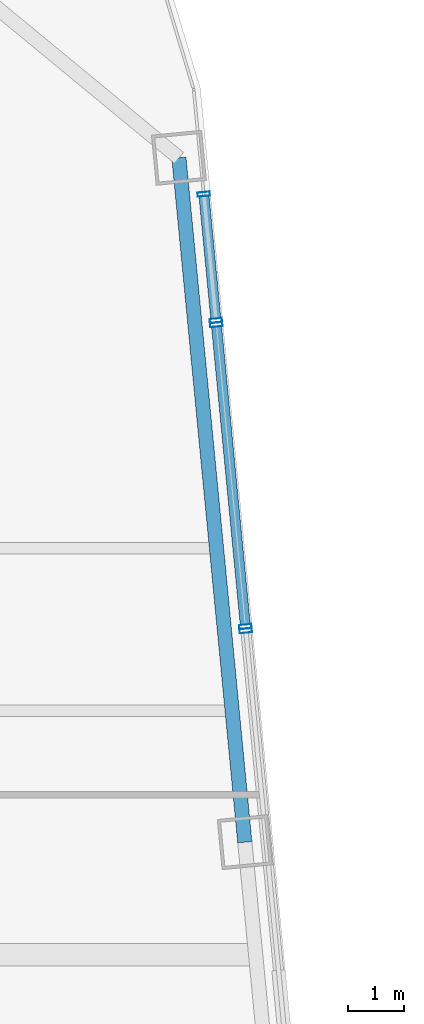
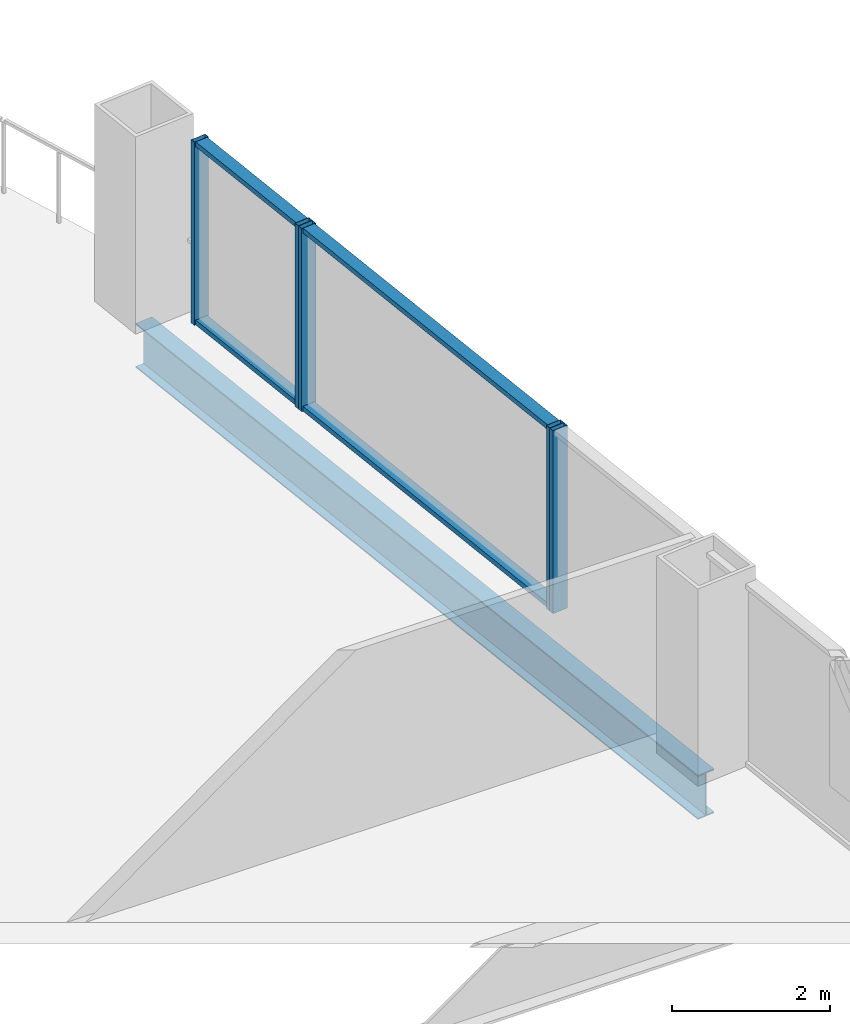
# One storey, part 19 of 27: 9 members, 1 beam, 3 elements without a shape of their own.
"""IFC4 building model written with IfcOpenShell, lengths in metres."""

from ifc_helpers import new_model, si_unit, direction, frame, origin, origin_2d, place, context, subcontext, project, spatial, hollow_rectangle, i_section, extrude, material, layer, layer_set, material_profile, profile_set, type_object, element, aggregate, save


model = new_model("IFC4")

# Units and contexts
model_context = context("Model", 3, precision=1e-05, world=origin(), true_north=direction((0.0, 1.0)))
body_context = subcontext(model_context, "Body", "Model", "MODEL_VIEW")
ifc_project = project(units=[si_unit("LENGTHUNIT", "METRE"), si_unit("AREAUNIT", "SQUARE_METRE"), si_unit("VOLUMEUNIT", "CUBIC_METRE"), si_unit("PLANEANGLEUNIT", "RADIAN"), si_unit("MASSUNIT", "GRAM", prefix="KILO")], contexts=[model_context])

# Site, building, storey
site_placement = place(None, origin())
site = spatial("IfcSite", under=ifc_project, at=site_placement, CompositionType="ELEMENT")
building_placement = place(site_placement, origin())
building = spatial("IfcBuilding", under=site, at=building_placement, Name="Qhalaya Broadcast Tower", CompositionType="ELEMENT")
storey_placement = place(building_placement, frame((0.0, 0.0, 84.699951171875)))
storey = spatial("IfcBuildingStorey", under=building, at=storey_placement, Name="L24", CompositionType="ELEMENT", Elevation=84.699951171875)

# Beam
ifc_material_1 = material(Name="Structural Steel ASTM A992 Grade 50", Category="steel")
ifc_material_profile_1 = material_profile(ifc_material_1, i_section(OverallWidth=0.25390625, OverallDepth=0.68310546875, WebThickness=0.012451171875, FlangeThickness=0.01904296875, at=origin_2d()), Name="W27X94")
ifc_profile_set_1 = profile_set([ifc_material_profile_1], Name="Structural Steel ASTM A992 Grade 50")
beam_type = type_object("IfcBeamType", Name="Perimeter Ring Spandrel Beam SP1", PredefinedType="SPANDREL", material=ifc_profile_set_1)
beam_placement = place(storey_placement, frame((26.941162109375, 11.955078125, -0.5615234375), z_axis=(-0.095851586307, 0.99539563662, 0.0), x_axis=(-0.99539563662, -0.095851586307, 0.0)))
element("IfcBeam", 1, at=beam_placement, inside=storey, type_object=beam_type, Name="L24 SP1 L24-SPR-07", PredefinedType="SPANDREL", context=body_context, shape_type="SweptSolid", body=[
    extrude(i_section(OverallWidth=0.25390625, OverallDepth=0.68310546875, WebThickness=0.012451171875, FlangeThickness=0.01904296875, at=origin_2d()), origin(), (0.0, 0.0, 1.0), 12.2666015625),
])

# Curtain wall, member
ifc_material_2 = material(Name="Fired Architectural Terracotta", Category="masonry")
ifc_layer_1 = layer(ifc_material_2, 0.219970703125, Name="Fired Architectural Terracotta")
ifc_layer_set_1 = layer_set([ifc_layer_1], Name="Fired Architectural Terracotta")
curtain_wall_type_1 = type_object("IfcCurtainWallType", Name="Block-Cap Unitised Terracotta Spandrel Wall CW-07", PredefinedType="NOTDEFINED", material=ifc_layer_set_1)
curtain_wall_1_placement = place(storey_placement, origin())
curtain_wall_1 = element("IfcCurtainWall", 2, at=curtain_wall_1_placement, inside=storey, type_object=curtain_wall_type_1, Name="L24 Unitised Curtain Wall L24-CW-E5", PredefinedType="NOTDEFINED")
ifc_material_3 = material(Name="Anodised Aluminium 6063-T6", Category="aluminium")
ifc_material_profile_2 = material_profile(ifc_material_3, hollow_rectangle(XDim=0.074951171875, YDim=0.219970703125, WallThickness=0.00390625, at=origin_2d()), Name="ALU-MUL 75x220x4")
ifc_profile_set_2 = profile_set([ifc_material_profile_2], Name="Anodised Aluminium 6063-T6")
member_type_1 = type_object("IfcMemberType", Name="Unitised Curtain-Wall Mullion M01", PredefinedType="MULLION", material=ifc_profile_set_2)
member_1_placement = place(storey_placement, frame((26.959716796875, 15.727294921875, 0.0), z_axis=(0.0, 0.0, 1.0), x_axis=(-0.095850652435, 0.995395726547, 0.0)))
member_1 = element("IfcMember", 3, at=member_1_placement, type_object=member_type_1, Name="CW-07 mullion 2", PredefinedType="MULLION", context=body_context, shape_type="SweptSolid", body=[
    extrude(hollow_rectangle(XDim=0.074951171875, YDim=0.219970703125, WallThickness=0.00390625, at=origin_2d()), origin(), (0.0, 0.0, 1.0), 2.830078125),
])
aggregate(curtain_wall_1, [member_1])

# Curtain wall, members
ifc_material_4 = material(Name="Solar-Control Low-E Triple Glazing", Category="glass")
ifc_layer_2 = layer(ifc_material_4, 0.219970703125, Name="Solar-Control Low-E Triple Glazing")
ifc_layer_set_2 = layer_set([ifc_layer_2], Name="Solar-Control Low-E Triple Glazing")
curtain_wall_type_2 = type_object("IfcCurtainWallType", Name="Even-Block 4-Storey Double-Module Curtain Wall CW-03", PredefinedType="NOTDEFINED", material=ifc_layer_set_2)
curtain_wall_2_placement = place(storey_placement, origin())
curtain_wall_2 = element("IfcCurtainWall", 4, at=curtain_wall_2_placement, inside=storey, type_object=curtain_wall_type_2, Name="L24 Unitised Curtain Wall L24-CW-E6", PredefinedType="NOTDEFINED")
member_2_placement = place(storey_placement, frame((26.952392578125, 15.802001953125, 0.0), z_axis=(0.0, 0.0, 1.0), x_axis=(-0.095844740112, 0.99539629585, 0.0)))
member_2 = element("IfcMember", 5, at=member_2_placement, type_object=member_type_1, Name="CW-03 mullion 1", PredefinedType="MULLION", context=body_context, shape_type="SweptSolid", body=[
    extrude(hollow_rectangle(XDim=0.074951171875, YDim=0.219970703125, WallThickness=0.00390625, at=origin_2d()), origin(), (0.0, 0.0, 1.0), 2.830078125),
])
member_3_placement = place(storey_placement, frame((26.433837890625, 21.18798828125, 0.0), z_axis=(0.0, 0.0, 1.0), x_axis=(-0.095844740112, 0.99539629585, 0.0)))
member_3 = element("IfcMember", 6, at=member_3_placement, type_object=member_type_1, Name="CW-03 mullion 2", PredefinedType="MULLION", context=body_context, shape_type="SweptSolid", body=[
    extrude(hollow_rectangle(XDim=0.074951171875, YDim=0.219970703125, WallThickness=0.00390625, at=origin_2d()), origin(), (0.0, 0.0, 1.0), 2.830078125),
])

curtain_wall_3_placement = place(storey_placement, origin())
curtain_wall_3 = element("IfcCurtainWall", 7, at=curtain_wall_3_placement, inside=storey, type_object=curtain_wall_type_1, Name="L24 Unitised Curtain Wall L24-CW-E7", PredefinedType="NOTDEFINED")
member_4_placement = place(storey_placement, frame((26.4267578125, 21.2626953125, 0.0), z_axis=(0.0, 0.0, 1.0), x_axis=(-0.09585164641, 0.995395630832, 0.0)))
member_4 = element("IfcMember", 8, at=member_4_placement, type_object=member_type_1, Name="CW-07 mullion 1", PredefinedType="MULLION", context=body_context, shape_type="SweptSolid", body=[
    extrude(hollow_rectangle(XDim=0.074951171875, YDim=0.219970703125, WallThickness=0.00390625, at=origin_2d()), origin(), (0.0, 0.0, 1.0), 2.830078125),
])
member_5_placement = place(storey_placement, frame((26.20947265625, 23.517333984375, 0.0), z_axis=(0.0, 0.0, 1.0), x_axis=(-0.09585164641, 0.995395630832, 0.0)))
member_5 = element("IfcMember", 9, at=member_5_placement, type_object=member_type_1, Name="CW-07 mullion 2", PredefinedType="MULLION", context=body_context, shape_type="SweptSolid", body=[
    extrude(hollow_rectangle(XDim=0.074951171875, YDim=0.219970703125, WallThickness=0.00390625, at=origin_2d()), origin(), (0.0, 0.0, 1.0), 2.830078125),
])

# Member
ifc_material_profile_3 = material_profile(ifc_material_3, hollow_rectangle(XDim=0.074951171875, YDim=0.179931640625, WallThickness=0.00390625, at=origin_2d()), Name="ALU-TRN 75x180x4")
ifc_profile_set_3 = profile_set([ifc_material_profile_3], Name="Anodised Aluminium 6063-T6")
member_type_2 = type_object("IfcMemberType", Name="Unitised Curtain-Wall Transom T01", PredefinedType="USERDEFINED", material=ifc_profile_set_3)
member_6_placement = place(storey_placement, frame((26.948974609375, 15.83935546875, 0.03759765625), z_axis=(-0.095856259068, 0.995395186646, 0.0), x_axis=(0.0, 0.0, 1.0)))
member_6 = element("IfcMember", 10, at=member_6_placement, type_object=member_type_2, Name="CW-03 transom 1.1", ObjectType="TRANSOM", PredefinedType="USERDEFINED", context=body_context, shape_type="SweptSolid", body=[
    extrude(hollow_rectangle(XDim=0.074951171875, YDim=0.179931640625, WallThickness=0.00390625, at=origin_2d()), origin(), (0.0, 0.0, 1.0), 5.3359375),
])

member_7_placement = place(storey_placement, frame((26.948974609375, 15.83935546875, 2.79248046875), z_axis=(-0.095856259068, 0.995395186646, 0.0), x_axis=(0.0, 0.0, 1.0)))
member_7 = element("IfcMember", 11, at=member_7_placement, type_object=member_type_2, Name="CW-03 transom 1.2", ObjectType="TRANSOM", PredefinedType="USERDEFINED", context=body_context, shape_type="SweptSolid", body=[
    extrude(hollow_rectangle(XDim=0.074951171875, YDim=0.179931640625, WallThickness=0.00390625, at=origin_2d()), origin(), (0.0, 0.0, 1.0), 5.3359375),
])

aggregate(curtain_wall_2, [member_2, member_3, member_6, member_7])

member_8_placement = place(storey_placement, frame((26.423095703125, 21.300048828125, 0.03759765625), z_axis=(-0.095871719122, 0.995393697726, 0.0), x_axis=(0.0, 0.0, 1.0)))
member_8 = element("IfcMember", 12, at=member_8_placement, type_object=member_type_2, Name="CW-07 transom 1.1", ObjectType="TRANSOM", PredefinedType="USERDEFINED", context=body_context, shape_type="SweptSolid", body=[
    extrude(hollow_rectangle(XDim=0.074951171875, YDim=0.179931640625, WallThickness=0.00390625, at=origin_2d()), origin(), (0.0, 0.0, 1.0), 2.18994140625),
])

member_9_placement = place(storey_placement, frame((26.423095703125, 21.300048828125, 2.79248046875), z_axis=(-0.095871719122, 0.995393697726, 0.0), x_axis=(0.0, 0.0, 1.0)))
member_9 = element("IfcMember", 13, at=member_9_placement, type_object=member_type_2, Name="CW-07 transom 1.2", ObjectType="TRANSOM", PredefinedType="USERDEFINED", context=body_context, shape_type="SweptSolid", body=[
    extrude(hollow_rectangle(XDim=0.074951171875, YDim=0.179931640625, WallThickness=0.00390625, at=origin_2d()), origin(), (0.0, 0.0, 1.0), 2.18994140625),
])

aggregate(curtain_wall_3, [member_4, member_5, member_8, member_9])

save(model, "model.ifc")
